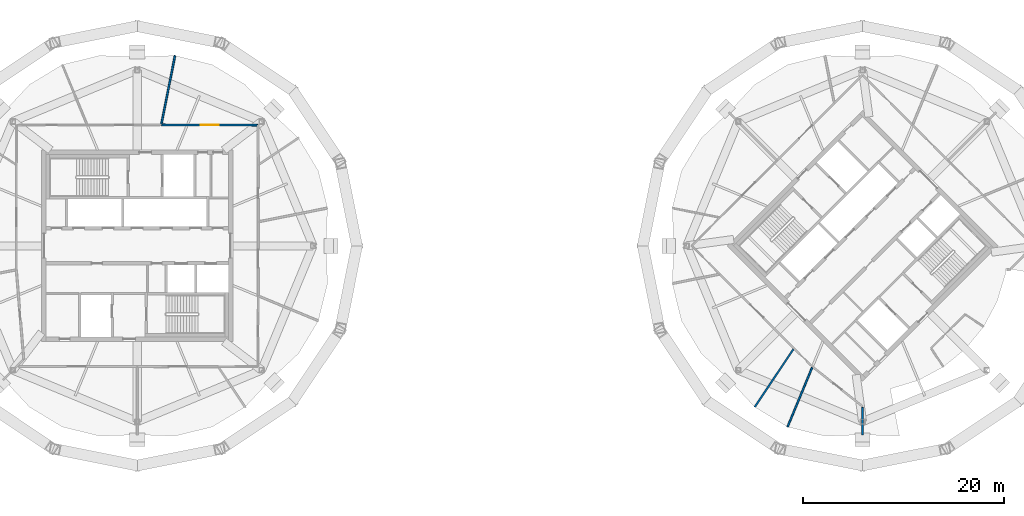
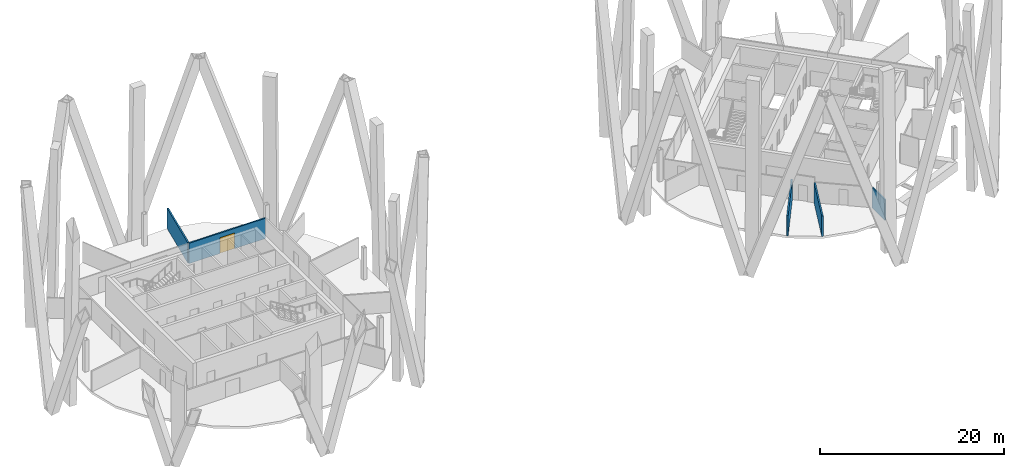
# One storey, part 6 of 11: 5 walls, 1 door, 1 opening.
"""IFC4 building model written with IfcOpenShell, lengths in metres."""

from ifc_helpers import new_model, si_unit, direction, frame, frame_2d, origin, place, context, subcontext, project, spatial, rectangle, extrude, material, layer, layer_set, type_object, element, fill, save


model = new_model("IFC4")

# Units and contexts
model_context = context("Model", 3, precision=1e-05, world=origin(), true_north=direction((0.0, 1.0)))
body_context = subcontext(model_context, "Body", "Model", "MODEL_VIEW")
ifc_project = project(units=[si_unit("LENGTHUNIT", "METRE"), si_unit("AREAUNIT", "SQUARE_METRE"), si_unit("VOLUMEUNIT", "CUBIC_METRE"), si_unit("PLANEANGLEUNIT", "RADIAN"), si_unit("MASSUNIT", "GRAM", prefix="KILO")], contexts=[model_context])

# Site, building, storey
site_placement = place(None, origin())
site = spatial("IfcSite", under=ifc_project, at=site_placement, CompositionType="ELEMENT")
building_placement = place(site_placement, origin())
building = spatial("IfcBuilding", under=site, at=building_placement, Name="Ogive Gate Towers", CompositionType="ELEMENT")
storey_placement = place(building_placement, frame((0.0, 0.0, 273.0)))
storey = spatial("IfcBuildingStorey", under=building, at=storey_placement, Name="L64", CompositionType="ELEMENT", Elevation=273.0)

# Wall
ifc_material_1 = material(Name="Gypsum board acoustic partition")
ifc_layer = layer(ifc_material_1, 0.175048828125)
ifc_layer_set = layer_set([ifc_layer], Name="Acoustic partition 175")
wall_type = type_object("IfcWallType", Name="Acoustic partition 175", PredefinedType="PARTITIONING", material=ifc_layer_set)
wall_1_placement = place(storey_placement, frame((-32.251708984375, 18.89111328125, 0.0), z_axis=(0.0, 0.0, 1.0), x_axis=(-0.194639279139, -0.980874890603, 0.0)))
element("IfcWall", 1, at=wall_1_placement, inside=storey, type_object=wall_type, Name="Partition T1-L64-003", PredefinedType="PARTITIONING", context=body_context, shape_type="SweptSolid", body=[
    extrude(rectangle(XDim=6.931396484375, YDim=0.175048828125, at=frame_2d((3.4658203125, 0.0))), origin(), (0.0, 0.0, 1.0), 2.699951171875),
])

# Wall, opening, door
wall_2_placement = place(storey_placement, frame((-24.02001953125, 11.97998046875, 0.0), z_axis=(0.0, 0.0, 1.0), x_axis=(-0.999996226515, 0.002747172499, 0.0)))
wall_2 = element("IfcWall", 2, at=wall_2_placement, inside=storey, type_object=wall_type, Name="Partition T1-L64-022", PredefinedType="PARTITIONING", context=body_context, shape_type="SweptSolid", body=[
    extrude(rectangle(XDim=9.597900390625, YDim=0.175048828125, at=frame_2d((4.798828125, 0.0))), origin(), (0.0, 0.0, 1.0), 2.699951171875),
])
opening_placement = place(wall_2_placement, frame((3.89892578125, 0.0, 0.0)))
opening = element("IfcOpeningElement", 3, at=opening_placement, cuts=wall_2, Name="Opening T1-L64-D10", PredefinedType="OPENING", context=body_context, shape_type="SweptSolid", body=[
    extrude(rectangle(XDim=1.800048828125, YDim=2.10009765625, at=frame_2d((0.89990234375, 1.050048828125))), frame((0.0, 0.09765625, 0.0), z_axis=(0.0, -1.0, 0.0), x_axis=(1.0, 0.0, 0.0)), (0.0, 0.0, 1.0), 0.195068359375),
])
ifc_material_2 = material(Name="Timber door", Category="wood")
door_type = type_object("IfcDoorType", Name="Door pair 1800", OperationType="NOTDEFINED", PredefinedType="DOOR", material=ifc_material_2)
door_placement = place(opening_placement, origin())
door = element("IfcDoor", 4, at=door_placement, inside=storey, type_object=door_type, Name="Door T1-L64-D10", OperationType="DOUBLE_DOOR_DOUBLE_SWING", OverallHeight=2.10009765625, OverallWidth=1.800048828125, PredefinedType="DOOR", context=body_context, shape_type="SweptSolid", body=[
    extrude(rectangle(XDim=1.800048828125, YDim=2.10009765625, at=frame_2d((0.89990234375, 1.050048828125))), frame((0.0, 0.02490234375, 0.0), z_axis=(0.0, -1.0, 0.0), x_axis=(1.0, 0.0, 0.0)), (0.0, 0.0, 1.0), 0.050048828125),
])
fill(opening, door)

# Walls
wall_3_placement = place(storey_placement, frame((25.292236328125, -16.008544921875, 0.0), z_axis=(0.0, 0.0, 1.0), x_axis=(0.555975655694, 0.831198574515, 0.0)))
element("IfcWall", 5, at=wall_3_placement, inside=storey, type_object=wall_type, Name="Partition T2-L64-008", PredefinedType="PARTITIONING", context=body_context, shape_type="SweptSolid", body=[
    extrude(rectangle(XDim=6.931640625, YDim=0.175048828125, at=frame_2d((3.4658203125, 0.0))), origin(), (0.0, 0.0, 1.0), 2.699951171875),
])
wall_4_placement = place(storey_placement, frame((28.552978515625, -17.978759765625, 0.0), z_axis=(0.0, 0.0, 1.0), x_axis=(0.382688548773, 0.923877413209, 0.0)))
element("IfcWall", 6, at=wall_4_placement, inside=storey, type_object=wall_type, Name="Partition T2-L64-009", PredefinedType="PARTITIONING", context=body_context, shape_type="SweptSolid", body=[
    extrude(rectangle(XDim=6.381591796875, YDim=0.175048828125, at=frame_2d((3.19091796875, 0.0))), origin(), (0.0, 0.0, 1.0), 2.699951171875),
])
wall_5_placement = place(storey_placement, frame((36.0, -18.759033203125, 0.0), z_axis=(0.0, 0.0, 1.0), x_axis=(0.0, 1.0, 0.0)))
element("IfcWall", 7, at=wall_5_placement, inside=storey, type_object=wall_type, Name="Partition T2-L64-010", PredefinedType="PARTITIONING", context=body_context, shape_type="SweptSolid", body=[
    extrude(rectangle(XDim=2.7314453125, YDim=0.175048828125, at=frame_2d((1.36572265625, 0.0))), origin(), (0.0, 0.0, 1.0), 2.699951171875),
])

save(model, "model.ifc")
